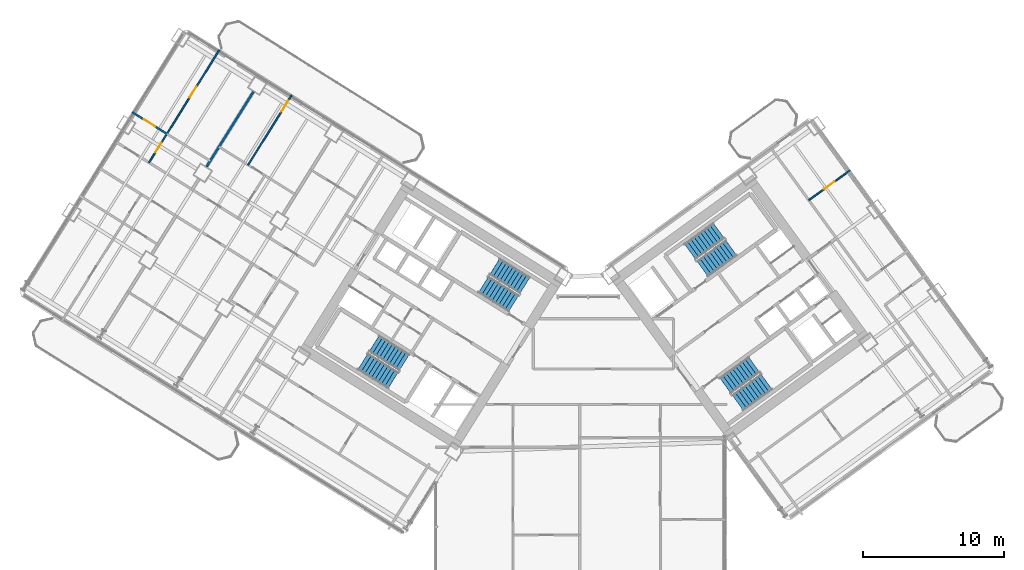
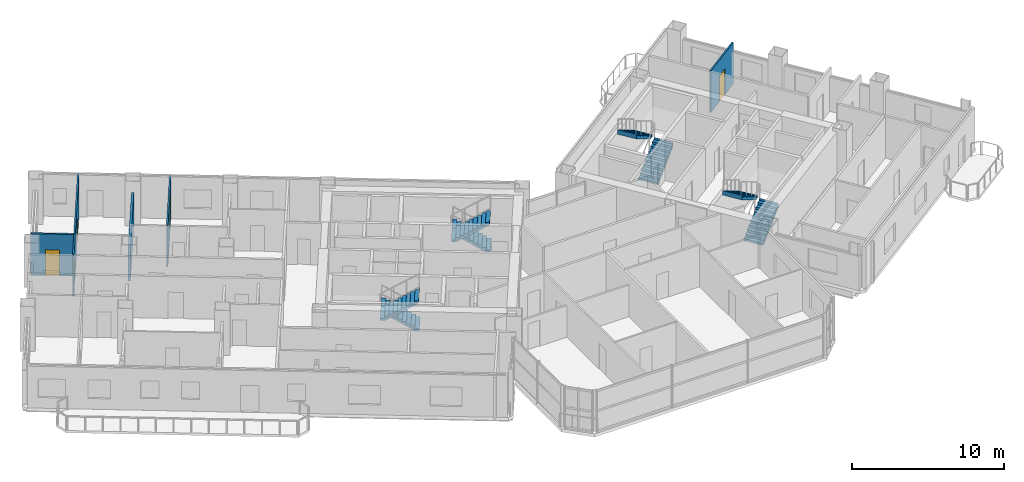
# One storey, part 20 of 28: 8 stair flights, 5 doors, 5 walls, 5 openings, 4 elements without a shape of their own.
"""IFC4 building model written with IfcOpenShell, lengths in metres."""

from ifc_helpers import new_model, si_unit, direction, frame, frame_2d, origin, place, context, subcontext, project, spatial, polyline, rectangle, outline, extrude, source, transform, mapped, material, layer, layer_set, type_object, element, fill, aggregate, save


model = new_model("IFC4")

# Units and contexts
model_context = context("Model", 3, precision=1e-05, world=origin(), true_north=direction((0.0, 1.0)))
body_context = subcontext(model_context, "Body", "Model", "MODEL_VIEW")
ifc_project = project(units=[si_unit("LENGTHUNIT", "METRE"), si_unit("AREAUNIT", "SQUARE_METRE"), si_unit("VOLUMEUNIT", "CUBIC_METRE"), si_unit("PLANEANGLEUNIT", "RADIAN"), si_unit("MASSUNIT", "GRAM", prefix="KILO")], contexts=[model_context])

# Site, building, storey
site_placement = place(None, origin())
site = spatial("IfcSite", under=ifc_project, at=site_placement, CompositionType="ELEMENT")
building_placement = place(site_placement, origin())
building = spatial("IfcBuilding", under=site, at=building_placement, Name="Tlacorven Tower", CompositionType="ELEMENT")
storey_placement = place(building_placement, frame((0.0, 0.0, 49.199951171875)))
storey = spatial("IfcBuildingStorey", under=building, at=storey_placement, Name="L12", CompositionType="ELEMENT", Elevation=49.199951171875)

# Wall
ifc_material_1 = material(Name="Gypsum plasterboard acoustic partition", Category="gypsum")
ifc_layer_1 = layer(ifc_material_1, 0.159912109375)
ifc_layer_set_1 = layer_set([ifc_layer_1], Name="Gypsum plasterboard acoustic partition")
wall_type_1 = type_object("IfcWallType", Name="WL-DEM-160", PredefinedType="PARTITIONING", material=ifc_layer_set_1)
wall_1_placement = place(storey_placement, frame((18.801513671875, 37.60009765625, 0.0), z_axis=(0.0, 0.0, 1.0), x_axis=(-0.529915015264, -0.848050751193, 0.0)))
element("IfcWall", 1, at=wall_1_placement, inside=storey, type_object=wall_type_1, Name="L12 WS Demising Wall 2", PredefinedType="PARTITIONING", context=body_context, shape_type="SweptSolid", body=[
    extrude(rectangle(XDim=6.27587890625, YDim=0.159912109375, at=frame_2d((3.137939453125, 0.0))), origin(), (0.0, 0.0, 1.0), 2.72509765625),
])

# Wall, opening, door
ifc_material_2 = material(Name="Gypsum plasterboard partition", Category="gypsum")
ifc_layer_2 = layer(ifc_material_2, 0.110107421875)
ifc_layer_set_2 = layer_set([ifc_layer_2], Name="Gypsum plasterboard partition")
wall_type_2 = type_object("IfcWallType", Name="WL-INT-110", PredefinedType="PARTITIONING", material=ifc_layer_set_2)
wall_2_placement = place(storey_placement, frame((21.516845703125, 37.356201171875, 0.0), z_axis=(0.0, 0.0, 1.0), x_axis=(-0.529916267533, -0.848049968695, 0.0)))
wall_2 = element("IfcWall", 2, at=wall_2_placement, inside=storey, type_object=wall_type_2, Name="L12 partition 70", PredefinedType="PARTITIONING", context=body_context, shape_type="SweptSolid", body=[
    extrude(rectangle(XDim=5.840087890625, YDim=0.110107421875, at=frame_2d((2.919921875, 0.0))), origin(), (0.0, 0.0, 1.0), 3.340087890625),
])
opening_1_placement = place(wall_2_placement, frame((0.469970703125, 0.0, 0.0)))
opening_1 = element("IfcOpeningElement", 3, at=opening_1_placement, cuts=wall_2, Name="Opening D12", PredefinedType="OPENING", context=body_context, shape_type="SweptSolid", body=[
    extrude(rectangle(XDim=0.919921875, YDim=2.080078125, at=frame_2d((0.4599609375, 1.0400390625))), frame((0.0, 0.06494140625, 0.0), z_axis=(0.0, -1.0, 0.0), x_axis=(1.0, 0.0, 0.0)), (0.0, 0.0, 1.0), 0.130126953125),
])
ifc_material_3 = material(Name="Powder-coated aluminium and timber door", Category="wood")
door_type_1 = type_object("IfcDoorType", Name="DR-INT-ROOM-0920", OperationType="NOTDEFINED", PredefinedType="DOOR", material=ifc_material_3)
shared_shape_1 = source(origin(), body_context, "Body", "SweptSolid", [
    extrude(rectangle(XDim=0.919921875, YDim=2.080078125, at=frame_2d((0.4599609375, 1.0400390625))), frame((0.0, 0.02490234375, 0.0), z_axis=(0.0, -1.0, 0.0), x_axis=(1.0, 0.0, 0.0)), (0.0, 0.0, 1.0), 0.050048828125),
])
door_1_placement = place(opening_1_placement, origin())
door_1 = element("IfcDoor", 4, at=door_1_placement, inside=storey, type_object=door_type_1, Name="L12 door 035", OperationType="SINGLE_SWING_LEFT", OverallHeight=2.080078125, OverallWidth=0.919921875, PredefinedType="DOOR", context=body_context, shape_type="MappedRepresentation", body=[
    mapped(shared_shape_1, transform((0.0, 0.0, 0.0), scale=1.0)),
])
fill(opening_1, door_1)

# Wall, openings, doors
wall_3_placement = place(storey_placement, frame((16.384521484375, 40.563232421875, 0.0), z_axis=(0.0, 0.0, 1.0), x_axis=(-0.529931378574, -0.848040526156, 0.0)))
wall_3 = element("IfcWall", 5, at=wall_3_placement, inside=storey, type_object=wall_type_2, Name="L12 partition 71", PredefinedType="PARTITIONING", context=body_context, shape_type="SweptSolid", body=[
    extrude(rectangle(XDim=9.419921875, YDim=0.110107421875, at=frame_2d((4.7099609375, 0.0))), origin(), (0.0, 0.0, 1.0), 3.340087890625),
])
opening_2_placement = place(wall_3_placement, frame((7.780029296875, 0.0, 0.0)))
opening_2 = element("IfcOpeningElement", 6, at=opening_2_placement, cuts=wall_3, Name="Opening D22", PredefinedType="OPENING", context=body_context, shape_type="SweptSolid", body=[
    extrude(rectangle(XDim=0.780029296875, YDim=2.050048828125, at=frame_2d((0.39013671875, 1.02490234375))), frame((0.0, 0.06494140625, 0.0), z_axis=(0.0, -1.0, 0.0), x_axis=(1.0, 0.0, 0.0)), (0.0, 0.0, 1.0), 0.130126953125),
])
opening_3_placement = place(wall_3_placement, frame((3.050048828125, 0.0, 0.0)))
opening_3 = element("IfcOpeningElement", 7, at=opening_3_placement, cuts=wall_3, Name="Opening D12", PredefinedType="OPENING", context=body_context, shape_type="SweptSolid", body=[
    extrude(rectangle(XDim=0.919921875, YDim=2.080078125, at=frame_2d((0.4599609375, 1.0400390625))), frame((0.0, 0.06494140625, 0.0), z_axis=(0.0, -1.0, 0.0), x_axis=(1.0, 0.0, 0.0)), (0.0, 0.0, 1.0), 0.130126953125),
])
door_type_2 = type_object("IfcDoorType", Name="DR-INT-WET-0780", OperationType="NOTDEFINED", PredefinedType="DOOR", material=ifc_material_3)
shared_shape_2 = source(origin(), body_context, "Body", "SweptSolid", [
    extrude(rectangle(XDim=0.780029296875, YDim=2.050048828125, at=frame_2d((0.39013671875, 1.02490234375))), frame((0.0, 0.02490234375, 0.0), z_axis=(0.0, -1.0, 0.0), x_axis=(1.0, 0.0, 0.0)), (0.0, 0.0, 1.0), 0.050048828125),
])
door_2_placement = place(opening_2_placement, origin())
door_2 = element("IfcDoor", 8, at=door_2_placement, inside=storey, type_object=door_type_2, Name="L12 door 042", OperationType="SINGLE_SWING_RIGHT", OverallHeight=2.050048828125, OverallWidth=0.780029296875, PredefinedType="DOOR", context=body_context, shape_type="MappedRepresentation", body=[
    mapped(shared_shape_2, transform((0.0, 0.0, 0.0), scale=1.0)),
])
fill(opening_2, door_2)
door_3_placement = place(opening_3_placement, origin())
door_3 = element("IfcDoor", 9, at=door_3_placement, inside=storey, type_object=door_type_1, Name="L12 door 043", OperationType="SINGLE_SWING_LEFT", OverallHeight=2.080078125, OverallWidth=0.919921875, PredefinedType="DOOR", context=body_context, shape_type="MappedRepresentation", body=[
    mapped(shared_shape_1, transform((0.0, 0.0, 0.0), scale=1.0)),
])
fill(opening_3, door_3)

# Wall, opening, door
wall_4_placement = place(storey_placement, frame((58.19482421875, 29.903564453125, 0.0), z_axis=(0.0, 0.0, 1.0), x_axis=(0.809005039917, 0.58780170584, 0.0)))
wall_4 = element("IfcWall", 10, at=wall_4_placement, inside=storey, type_object=wall_type_2, Name="L12 partition 103", PredefinedType="PARTITIONING", context=body_context, shape_type="SweptSolid", body=[
    extrude(rectangle(XDim=3.610107421875, YDim=0.110107421875, at=frame_2d((1.80517578125, 0.0))), origin(), (0.0, 0.0, 1.0), 3.340087890625),
])
opening_4_placement = place(wall_4_placement, frame((1.344970703125, 0.0, 0.0)))
opening_4 = element("IfcOpeningElement", 11, at=opening_4_placement, cuts=wall_4, Name="Opening D12", PredefinedType="OPENING", context=body_context, shape_type="SweptSolid", body=[
    extrude(rectangle(XDim=0.919921875, YDim=2.080078125, at=frame_2d((0.4599609375, 1.0400390625))), frame((0.0, 0.06494140625, 0.0), z_axis=(0.0, -1.0, 0.0), x_axis=(1.0, 0.0, 0.0)), (0.0, 0.0, 1.0), 0.130126953125),
])
door_4_placement = place(opening_4_placement, origin())
door_4 = element("IfcDoor", 12, at=door_4_placement, inside=storey, type_object=door_type_1, Name="L12 door 063", OperationType="SINGLE_SWING_LEFT", OverallHeight=2.080078125, OverallWidth=0.919921875, PredefinedType="DOOR", context=body_context, shape_type="MappedRepresentation", body=[
    mapped(shared_shape_1, transform((0.0, 0.0, 0.0), scale=1.0)),
])
fill(opening_4, door_4)

ifc_material_4 = material(Name="Moisture-resistant gypsum plumbing wall", Category="gypsum")
ifc_layer_3 = layer(ifc_material_4, 0.139892578125)
ifc_layer_set_3 = layer_set([ifc_layer_3], Name="Moisture-resistant gypsum plumbing wall")
wall_type_3 = type_object("IfcWallType", Name="WL-PLM-140", PredefinedType="PLUMBINGWALL", material=ifc_layer_set_3)
wall_5_placement = place(storey_placement, frame((12.66455078125, 34.60986328125, 0.0), z_axis=(0.0, 0.0, 1.0), x_axis=(-0.848045593671, 0.529923269025, 0.0)))
wall_5 = element("IfcWall", 13, at=wall_5_placement, inside=storey, type_object=wall_type_3, Name="L12 partition 73", PredefinedType="PLUMBINGWALL", context=body_context, shape_type="SweptSolid", body=[
    extrude(rectangle(XDim=2.900146484375, YDim=0.139892578125, at=frame_2d((1.4501953125, 0.0))), origin(), (0.0, 0.0, 1.0), 3.340087890625),
])
opening_5_placement = place(wall_5_placement, frame((0.989990234375, 0.0, 0.0)))
opening_5 = element("IfcOpeningElement", 14, at=opening_5_placement, cuts=wall_5, Name="Opening D12", PredefinedType="OPENING", context=body_context, shape_type="SweptSolid", body=[
    extrude(rectangle(XDim=0.919921875, YDim=2.080078125, at=frame_2d((0.4599609375, 1.0400390625))), frame((0.0, 0.080078125, 0.0), z_axis=(0.0, -1.0, 0.0), x_axis=(1.0, 0.0, 0.0)), (0.0, 0.0, 1.0), 0.159912109375),
])
door_5_placement = place(opening_5_placement, origin())
door_5 = element("IfcDoor", 15, at=door_5_placement, inside=storey, type_object=door_type_1, Name="L12 door 041", OperationType="SINGLE_SWING_LEFT", OverallHeight=2.080078125, OverallWidth=0.919921875, PredefinedType="DOOR", context=body_context, shape_type="MappedRepresentation", body=[
    mapped(shared_shape_1, transform((0.0, 0.0, 0.0), scale=1.0)),
])
fill(opening_5, door_5)

# Stair, stair flights
ifc_material_5 = material(Name="Concrete C40/50", Category="concrete")
stair_type = type_object("IfcStairType", Name="ST-CORE-DLG", PredefinedType="HALF_TURN_STAIR", material=ifc_material_5)
stair_1_placement = place(storey_placement, origin())
stair_1 = element("IfcStair", 16, at=stair_1_placement, inside=storey, type_object=stair_type, Name="L12 Protected Exit Stair West 1", PredefinedType="HALF_TURN_STAIR")
stair_flight_type = type_object("IfcStairFlightType", Name="SFL-RC-1380", PredefinedType="STRAIGHT", material=ifc_material_5)
shared_shape_3 = source(origin(), body_context, "Body", "SweptSolid", [
    extrude(outline(polyline([(-0.0029296875, -0.0029296875), (-0.0029296875, 0.179931640625), (0.280029296875, 0.179931640625), (0.280029296875, 0.360107421875), (0.56005859375, 0.360107421875), (0.56005859375, 0.5400390625), (0.840087890625, 0.5400390625), (0.840087890625, 0.719970703125), (1.1201171875, 0.719970703125), (1.1201171875, 0.89990234375), (1.39990234375, 0.89990234375), (1.39990234375, 1.080078125), (1.679931640625, 1.080078125), (1.679931640625, 1.260009765625), (1.9599609375, 1.260009765625), (1.9599609375, 1.43994140625), (2.239990234375, 1.43994140625), (2.239990234375, 1.6201171875), (2.52001953125, 1.6201171875), (2.52001953125, 1.800048828125), (2.52294921875, 1.800048828125), (2.52294921875, 1.429931640625), (2.52001953125, 1.429931640625), (0.295654296875, 0.0), (0.295654296875, -0.0029296875), (-0.0029296875, -0.0029296875)])), frame((0.0, 0.68994140625, 0.0), z_axis=(0.0, -1.0, 0.0), x_axis=(1.0, 0.0, 0.0)), (0.0, 0.0, 1.0), 1.3798828125),
])
stair_flight_1_placement = place(storey_placement, frame((29.499755859375, 18.39453125, 0.0), z_axis=(0.0, 0.0, 1.0), x_axis=(-0.848048096156, 0.529919264233, 0.0)))
stair_flight_1 = element("IfcStairFlight", 17, at=stair_flight_1_placement, type_object=stair_flight_type, Name="ST-W1 flight 1", NumberOfRisers=10, NumberOfTreads=9, PredefinedType="STRAIGHT", RiserHeight=0.18, TreadLength=0.28, context=body_context, shape_type="MappedRepresentation", body=[
    mapped(shared_shape_3, transform((0.0, 0.0, 0.0), scale=1.0)),
])
stair_flight_2_placement = place(storey_placement, frame((26.56787109375, 18.4580078125, 1.800048828125), z_axis=(0.0, 0.0, 1.0), x_axis=(0.848048096156, -0.529919264233, 0.0)))
stair_flight_2 = element("IfcStairFlight", 18, at=stair_flight_2_placement, type_object=stair_flight_type, Name="ST-W1 flight 2", NumberOfRisers=10, NumberOfTreads=9, PredefinedType="STRAIGHT", RiserHeight=0.18, TreadLength=0.28, context=body_context, shape_type="MappedRepresentation", body=[
    mapped(shared_shape_3, transform((0.0, 0.0, 0.0), scale=1.0)),
])
aggregate(stair_1, [stair_flight_1, stair_flight_2])

stair_2_placement = place(storey_placement, origin())
stair_2 = element("IfcStair", 19, at=stair_2_placement, inside=storey, type_object=stair_type, Name="L12 Protected Exit Stair West 2", PredefinedType="HALF_TURN_STAIR")
stair_flight_3_placement = place(storey_placement, frame((38.051513671875, 23.852294921875, 0.0), z_axis=(0.0, 0.0, 1.0), x_axis=(-0.848048096156, 0.529919264233, 0.0)))
stair_flight_3 = element("IfcStairFlight", 20, at=stair_flight_3_placement, type_object=stair_flight_type, Name="ST-W2 flight 1", NumberOfRisers=10, NumberOfTreads=9, PredefinedType="STRAIGHT", RiserHeight=0.18, TreadLength=0.28, context=body_context, shape_type="MappedRepresentation", body=[
    mapped(shared_shape_3, transform((0.0, 0.0, 0.0), scale=1.0)),
])
stair_flight_4_placement = place(storey_placement, frame((35.119384765625, 23.91552734375, 1.800048828125), z_axis=(0.0, 0.0, 1.0), x_axis=(0.848048096156, -0.529919264233, 0.0)))
stair_flight_4 = element("IfcStairFlight", 21, at=stair_flight_4_placement, type_object=stair_flight_type, Name="ST-W2 flight 2", NumberOfRisers=10, NumberOfTreads=9, PredefinedType="STRAIGHT", RiserHeight=0.18, TreadLength=0.28, context=body_context, shape_type="MappedRepresentation", body=[
    mapped(shared_shape_3, transform((0.0, 0.0, 0.0), scale=1.0)),
])
aggregate(stair_2, [stair_flight_3, stair_flight_4])

stair_3_placement = place(storey_placement, origin())
stair_3 = element("IfcStair", 22, at=stair_3_placement, inside=storey, type_object=stair_type, Name="L12 Protected Exit Stair East 1", PredefinedType="HALF_TURN_STAIR")
stair_flight_5_placement = place(storey_placement, frame((50.6533203125, 25.0400390625, 0.0), z_axis=(0.0, 0.0, 1.0), x_axis=(0.809016994375, 0.587785252292, 0.0)))
stair_flight_5 = element("IfcStairFlight", 23, at=stair_flight_5_placement, type_object=stair_flight_type, Name="ST-E1 flight 1", NumberOfRisers=10, NumberOfTreads=9, PredefinedType="STRAIGHT", RiserHeight=0.18, TreadLength=0.28, context=body_context, shape_type="MappedRepresentation", body=[
    mapped(shared_shape_3, transform((0.0, 0.0, 0.0), scale=1.0)),
])
stair_flight_6_placement = place(storey_placement, frame((51.810546875, 27.734619140625, 1.800048828125), z_axis=(0.0, 0.0, 1.0), x_axis=(-0.809016994375, -0.587785252292, 0.0)))
stair_flight_6 = element("IfcStairFlight", 24, at=stair_flight_6_placement, type_object=stair_flight_type, Name="ST-E1 flight 2", NumberOfRisers=10, NumberOfTreads=9, PredefinedType="STRAIGHT", RiserHeight=0.18, TreadLength=0.28, context=body_context, shape_type="MappedRepresentation", body=[
    mapped(shared_shape_3, transform((0.0, 0.0, 0.0), scale=1.0)),
])
aggregate(stair_3, [stair_flight_5, stair_flight_6])

stair_4_placement = place(storey_placement, origin())
stair_4 = element("IfcStair", 25, at=stair_4_placement, inside=storey, type_object=stair_type, Name="L12 Protected Exit Stair East 2", PredefinedType="HALF_TURN_STAIR")
stair_flight_7_placement = place(storey_placement, frame((53.157470703125, 15.536865234375, 0.0), z_axis=(0.0, 0.0, 1.0), x_axis=(0.809016994375, 0.587785252292, 0.0)))
stair_flight_7 = element("IfcStairFlight", 26, at=stair_flight_7_placement, type_object=stair_flight_type, Name="ST-E2 flight 1", NumberOfRisers=10, NumberOfTreads=9, PredefinedType="STRAIGHT", RiserHeight=0.18, TreadLength=0.28, context=body_context, shape_type="MappedRepresentation", body=[
    mapped(shared_shape_3, transform((0.0, 0.0, 0.0), scale=1.0)),
])
stair_flight_8_placement = place(storey_placement, frame((54.314453125, 18.231689453125, 1.800048828125), z_axis=(0.0, 0.0, 1.0), x_axis=(-0.809016994375, -0.587785252292, 0.0)))
stair_flight_8 = element("IfcStairFlight", 27, at=stair_flight_8_placement, type_object=stair_flight_type, Name="ST-E2 flight 2", NumberOfRisers=10, NumberOfTreads=9, PredefinedType="STRAIGHT", RiserHeight=0.18, TreadLength=0.28, context=body_context, shape_type="MappedRepresentation", body=[
    mapped(shared_shape_3, transform((0.0, 0.0, 0.0), scale=1.0)),
])
aggregate(stair_4, [stair_flight_7, stair_flight_8])

save(model, "model.ifc")
